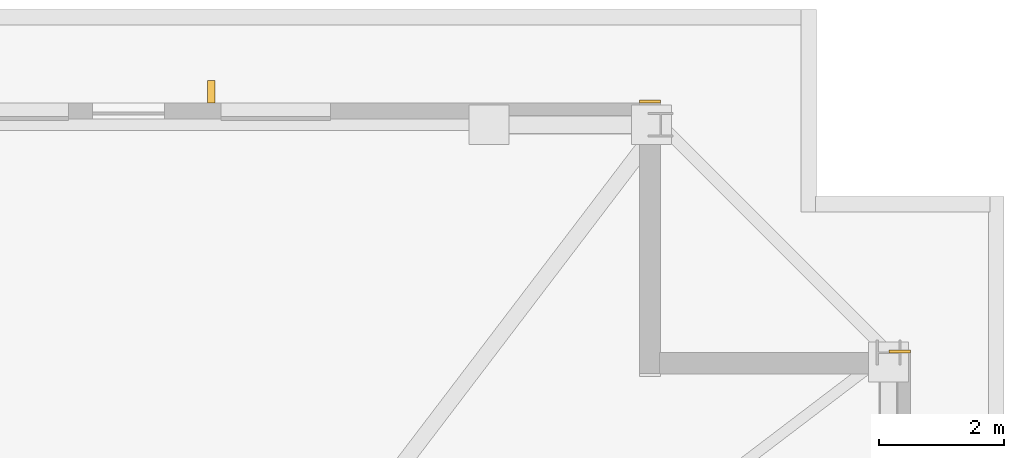
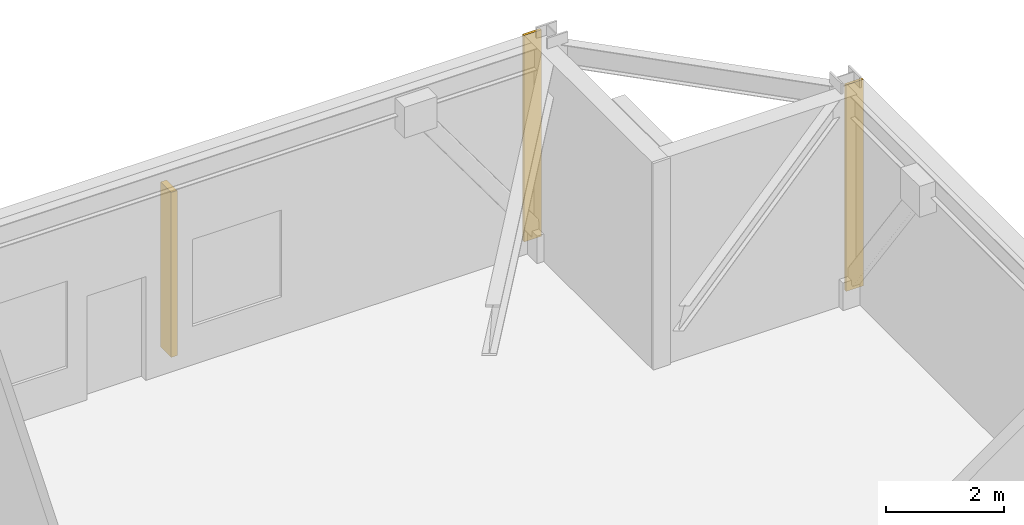
# One storey, part 13 of 13: 2 coverings, 1 shading device.
"""IFC4 building model written with IfcOpenShell, lengths in metres."""

import ifcopenshell
import ifcopenshell.guid

model = None  # the IFC model being written
_history = None  # IfcOwnerHistory: only IFC2X3 demands one
_inside = {}  # id of a spatial element -> (the spatial element, [elements in it])
_under = {}  # id of a project, library or spatial element -> (it, [spatial elements below it])
_declared = {}  # id of a project -> (the project, [libraries it declares])
_typed = {}  # id of a type object -> (the type object, [elements of that type])
_made_of = {}  # id of a material, layer set ... -> (it, [elements and type objects made of it])


def new_model(schema):
    """Start an empty IFC model of exactly this schema.

    Asked for "IFC4X3", IfcOpenShell would pick the latest addendum, in which some entities
    have other attributes; the version numbers below select the first issue.
    IFC2X3 requires an IfcOwnerHistory on every rooted entity: one is made here for all.
    """
    global model, _history
    if schema == "IFC4X3":
        model = ifcopenshell.file(schema_version=(4, 3, 0, 0))
    else:
        model = ifcopenshell.file(schema=schema)
    _inside.clear()
    _under.clear()
    _declared.clear()
    _typed.clear()
    _made_of.clear()
    _history = None
    if model.schema == "IFC2X3":
        org = make("IfcOrganization", Name="unknown")
        user = make(
            "IfcPersonAndOrganization",
            ThePerson=make("IfcPerson", FamilyName="unknown"),
            TheOrganization=org,
        )
        app = make(
            "IfcApplication",
            ApplicationDeveloper=org,
            Version="unknown",
            ApplicationFullName="unknown",
            ApplicationIdentifier="unknown",
        )
        _history = make(
            "IfcOwnerHistory",
            OwningUser=user,
            OwningApplication=app,
            ChangeAction="ADDED",
            CreationDate=0,
        )
    return model


def make(cls, **values):
    """One entity of the class cls with the attributes given. An attribute that is None is left unset."""
    return model.create_entity(
        cls, **{name: value for name, value in values.items() if value is not None}
    )


def rooted(cls, **values):
    """An entity with a GlobalId (a new one), such as an element, a storey or a relation."""
    return make(cls, GlobalId=ifcopenshell.guid.new(), OwnerHistory=_history, **values)


def si_unit(unit_type, name, prefix=None):
    """IfcSIUnit, for example si_unit("LENGTHUNIT", "METRE", prefix="MILLI")."""
    return make("IfcSIUnit", UnitType=unit_type, Prefix=prefix, Name=name)


def assignment(units):
    """IfcUnitAssignment: the units of a project."""
    return None if units is None else make("IfcUnitAssignment", Units=units)


def point(xyz):
    """IfcCartesianPoint."""
    return None if xyz is None else make("IfcCartesianPoint", Coordinates=xyz)


def direction(xyz):
    """IfcDirection."""
    return None if xyz is None else make("IfcDirection", DirectionRatios=xyz)


def frame(location, z_axis=None, x_axis=None):
    """IfcAxis2Placement3D, a coordinate frame: its origin and axes. An axis left out is left unset."""
    return make(
        "IfcAxis2Placement3D",
        Location=point(location),
        Axis=direction(z_axis),
        RefDirection=direction(x_axis),
    )


def frame_2d(location, x_axis=None):
    """IfcAxis2Placement2D, a coordinate frame in the plane: its origin and x axis."""
    return make(
        "IfcAxis2Placement2D", Location=point(location), RefDirection=direction(x_axis)
    )


def origin():
    """The frame at (0, 0, 0) with its axes left unset."""
    return frame((0.0, 0.0, 0.0))


def origin_2d():
    """The frame at (0, 0) in the plane with its x axis left unset."""
    return frame_2d((0.0, 0.0))


def place(relative_to, where):
    """IfcLocalPlacement: puts the frame where relative to a parent placement (None: the world)."""
    return make(
        "IfcLocalPlacement", PlacementRelTo=relative_to, RelativePlacement=where
    )


def context(
    kind, dimensions, precision=None, world=None, true_north=None, identifier=None
):
    """IfcGeometricRepresentationContext, for example the 3D "Model" context."""
    return make(
        "IfcGeometricRepresentationContext",
        ContextIdentifier=identifier,
        ContextType=kind,
        CoordinateSpaceDimension=dimensions,
        Precision=precision,
        WorldCoordinateSystem=world,
        TrueNorth=true_north,
    )


def subcontext(parent, identifier, kind, view, scale=None):
    """IfcGeometricRepresentationSubContext, for example "Body" below "Model"."""
    return make(
        "IfcGeometricRepresentationSubContext",
        ContextIdentifier=identifier,
        ContextType=kind,
        ParentContext=parent,
        TargetScale=scale,
        TargetView=view,
    )


def project(units=None, contexts=None):
    """IfcProject with its units and contexts."""
    return rooted(
        "IfcProject",
        Name="project",
        RepresentationContexts=contexts,
        UnitsInContext=assignment(units),
    )


def spatial(cls, under=None, at=None, **own):
    """A site, building, storey or space (cls), placed at a placement, below another one or the project."""
    s = rooted(cls, ObjectPlacement=at, **own)
    if under is not None:
        _under.setdefault(under.id(), (under, []))[1].append(s)
    return s


def profile(cls, at=None, kind="AREA", **sizes):
    """A parametric profile (cls). Its sizes go by their IFC names, for example OverallWidth=200.0."""
    return make(cls, ProfileType=kind, Position=at, **sizes)


def rectangle(**sizes):
    """IfcRectangleProfileDef."""
    return profile("IfcRectangleProfileDef", **sizes)


def extrude(swept, where, along, depth):
    """IfcExtrudedAreaSolid: the profile swept, set in the frame where, extruded along a direction by depth."""
    return make(
        "IfcExtrudedAreaSolid",
        SweptArea=swept,
        Position=where,
        ExtrudedDirection=direction(along),
        Depth=depth,
    )


def shape(context_of_items, identifier, shape_type, items):
    """IfcShapeRepresentation: the items that make up one representation, for example the "Body"."""
    return make(
        "IfcShapeRepresentation",
        ContextOfItems=context_of_items,
        RepresentationIdentifier=identifier,
        RepresentationType=shape_type,
        Items=items,
    )


def material(Name=None, Category=None):
    """IfcMaterial."""
    return make("IfcMaterial", Name=Name, Category=Category)


def layer(
    of_material, thickness, ventilated=None, Name=None, Category=None, Priority=None
):
    """IfcMaterialLayer: one layer of a wall or slab, of a material (None: an air gap)."""
    return make(
        "IfcMaterialLayer",
        Material=of_material,
        LayerThickness=thickness,
        IsVentilated=ventilated,
        Name=Name,
        Category=Category,
        Priority=Priority,
    )


def layer_set(layers, Name=None):
    """IfcMaterialLayerSet."""
    return make("IfcMaterialLayerSet", MaterialLayers=layers, LayerSetName=Name)


def made_of(thing, what):
    """Note that an element or type object is made of a material, layer set ...; save() writes the relation."""
    if what is not None:
        _made_of.setdefault(what.id(), (what, []))[1].append(thing)
    return thing


def type_object(cls, material=None, **own):
    """A type object (cls), such as IfcWallType, which elements share."""
    return made_of(rooted(cls, **own), material)


def element(
    cls,
    number,
    at=None,
    inside=None,
    cuts=None,
    type_object=None,
    material=None,
    context=None,
    identifier="Body",
    shape_type=None,
    held_by="IfcProductDefinitionShape",
    body=None,
    shapes=None,
    **own,
):
    """One element of the class cls, such as IfcWall. Its Tag is "e" and its number.

    at: its placement. inside: the storey or other place that contains it. cuts: it is an
    opening in that element (IfcRelVoidsElement). A single representation is given by context,
    identifier, shape_type and body (its items); several are given by shapes. held_by: the class
    of the entity that holds the representations. save() writes the other relations.
    """
    e = rooted(cls, Tag="e%d" % number, ObjectPlacement=at, **own)
    if body is not None:
        shapes = [shape(context, identifier, shape_type, body)]
    if shapes is not None:
        e.Representation = make(held_by, Representations=shapes)
    if inside is not None:
        _inside.setdefault(inside.id(), (inside, []))[1].append(e)
    if cuts is not None:
        rooted(
            "IfcRelVoidsElement", RelatingBuildingElement=cuts, RelatedOpeningElement=e
        )
    if type_object is not None:
        _typed.setdefault(type_object.id(), (type_object, []))[1].append(e)
    return made_of(e, material)


def aggregate(whole, parts):
    """IfcRelAggregates: a whole, such as a stair, and the parts it consists of."""
    return rooted("IfcRelAggregates", RelatingObject=whole, RelatedObjects=parts)


def save(model, path):
    """Write the relations noted so far, then the file.

    IfcRelAggregates (storeys below a building ...), IfcRelContainedInSpatialStructure (elements
    in a storey), IfcRelDefinesByType, IfcRelAssociatesMaterial and IfcRelDeclares: one each for
    every whole, place, type object, material and project.
    """
    for whole, parts in _under.values():
        aggregate(whole, parts)
    for where, things in _inside.values():
        rooted(
            "IfcRelContainedInSpatialStructure",
            RelatedElements=things,
            RelatingStructure=where,
        )
    for kind, things in _typed.values():
        rooted("IfcRelDefinesByType", RelatedObjects=things, RelatingType=kind)
    for what, things in _made_of.values():
        rooted("IfcRelAssociatesMaterial", RelatedObjects=things, RelatingMaterial=what)
    for by, libraries in _declared.values():
        rooted("IfcRelDeclares", RelatingContext=by, RelatedDefinitions=libraries)
    model.write(path)


model = new_model("IFC4")

# Units and contexts
model_context = context("Model", 3, precision=1e-05, world=origin(), true_north=direction((0.0, 1.0)))
body_context = subcontext(model_context, "Body", "Model", "MODEL_VIEW")
ifc_project = project(units=[si_unit("LENGTHUNIT", "METRE"), si_unit("AREAUNIT", "SQUARE_METRE"), si_unit("VOLUMEUNIT", "CUBIC_METRE"), si_unit("PLANEANGLEUNIT", "RADIAN"), si_unit("MASSUNIT", "GRAM", prefix="KILO")], contexts=[model_context])

# Site, building, storey
site_placement = place(None, origin())
site = spatial("IfcSite", under=ifc_project, at=site_placement, CompositionType="ELEMENT")
building_placement = place(site_placement, origin())
building = spatial("IfcBuilding", under=site, at=building_placement, Name="Cairnveth Concourse Tower", CompositionType="ELEMENT")
storey_placement = place(building_placement, frame((0.0, 0.0, 101.5)))
storey = spatial("IfcBuildingStorey", under=building, at=storey_placement, Name="L27", CompositionType="ELEMENT", Elevation=101.5)

# Coverings
ifc_material_1 = material(Name="Dressed Melbourne Bluestone Cladding", Category="masonry")
ifc_layer = layer(ifc_material_1, 0.050048828125)
ifc_layer_set = layer_set([ifc_layer], Name="Dressed Melbourne Bluestone Cladding")
covering_type = type_object("IfcCoveringType", Name="DRESSED BLUESTONE PLINTH CLADDING 50", PredefinedType="CLADDING", material=ifc_layer_set)
for number, where, z_axis, x_axis, name in (
    (1, (71.659912109375, 63.02001953125, 0.0), (0.0, 0.0, 1.0), (1.0, 0.0, 0.0), "Melbourne Bluestone Corner Quoin L27-372"),
    (2, (75.659912109375, 59.02001953125, 0.0), (0.0, 0.0, 1.0), (1.0, 0.0, 0.0), "Melbourne Bluestone Corner Quoin L27-374"),
):
    element("IfcCovering", number, at=place(storey_placement, frame(where, z_axis=z_axis, x_axis=x_axis)), inside=storey, type_object=covering_type, Name=name, PredefinedType="CLADDING", context=body_context, shape_type="SweptSolid", body=[
        extrude(rectangle(XDim=0.340087890625, YDim=0.050048828125, at=frame_2d((0.169921875, 0.0))), origin(), (0.0, 0.0, 1.0), 4.280029296875),
    ])

# Shading device
ifc_material_2 = material(Name="Architectural Bronze Anodised Aluminium 6063-T6", Category="aluminium")
shading_device_type = type_object("IfcShadingDeviceType", Name="GOTHIC BRONZE VERTICAL LANCET FIN", PredefinedType="USERDEFINED", material=ifc_material_2)
shading_device_placement = place(storey_placement, frame((64.800048828125, 63.175048828125, 0.030029296875), z_axis=(0.0, 0.0, 1.0), x_axis=(1.0, 0.0, 0.0)))
element("IfcShadingDevice", 3, at=shading_device_placement, inside=storey, type_object=shading_device_type, Name="Gothic Bronze Vertical Fin L27-0-3", ObjectType="VERTICAL FIN", PredefinedType="USERDEFINED", context=body_context, shape_type="SweptSolid", body=[
    extrude(rectangle(XDim=0.1201171875, YDim=0.360107421875, at=origin_2d()), origin(), (0.0, 0.0, 1.0), 3.419921875),
])

save(model, "model.ifc")
